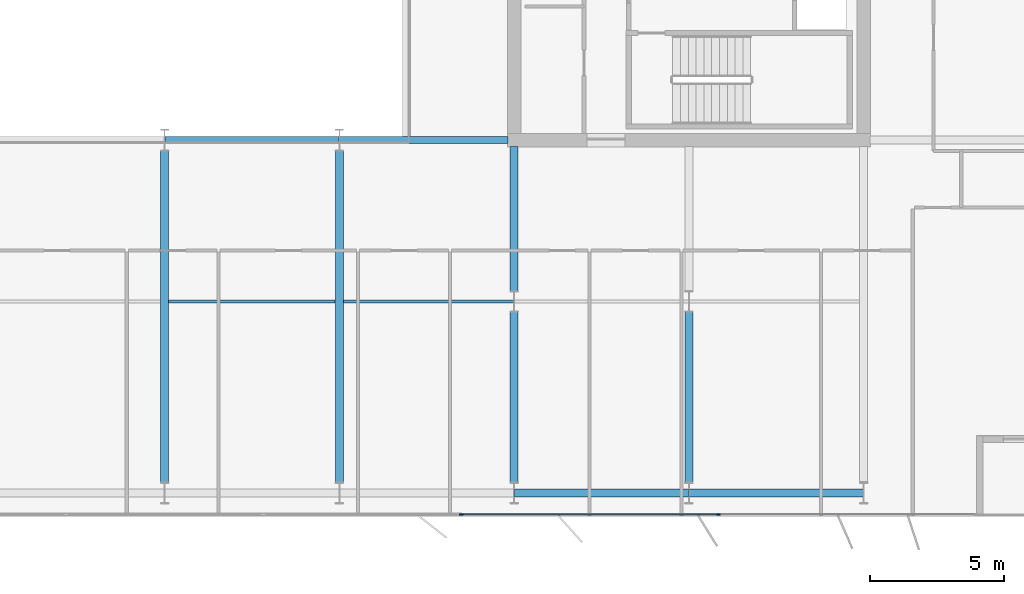
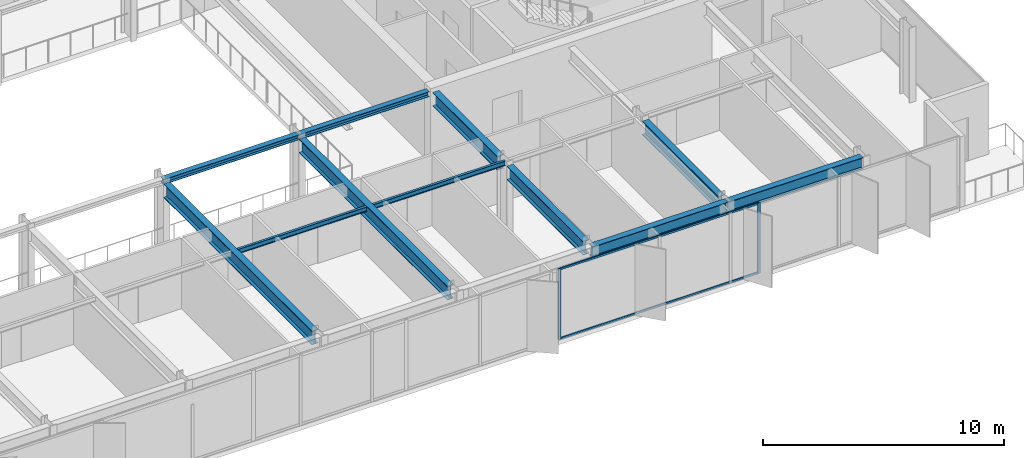
# One storey, part 7 of 24: 11 beams, 4 members, 1 element without a shape of its own.
"""IFC4 building model written with IfcOpenShell, lengths in metres."""

import ifcopenshell
import ifcopenshell.guid

model = None  # the IFC model being written
_history = None  # IfcOwnerHistory: only IFC2X3 demands one
_inside = {}  # id of a spatial element -> (the spatial element, [elements in it])
_under = {}  # id of a project, library or spatial element -> (it, [spatial elements below it])
_declared = {}  # id of a project -> (the project, [libraries it declares])
_typed = {}  # id of a type object -> (the type object, [elements of that type])
_made_of = {}  # id of a material, layer set ... -> (it, [elements and type objects made of it])


def new_model(schema):
    """Start an empty IFC model of exactly this schema.

    Asked for "IFC4X3", IfcOpenShell would pick the latest addendum, in which some entities
    have other attributes; the version numbers below select the first issue.
    IFC2X3 requires an IfcOwnerHistory on every rooted entity: one is made here for all.
    """
    global model, _history
    if schema == "IFC4X3":
        model = ifcopenshell.file(schema_version=(4, 3, 0, 0))
    else:
        model = ifcopenshell.file(schema=schema)
    _inside.clear()
    _under.clear()
    _declared.clear()
    _typed.clear()
    _made_of.clear()
    _history = None
    if model.schema == "IFC2X3":
        org = make("IfcOrganization", Name="unknown")
        user = make(
            "IfcPersonAndOrganization",
            ThePerson=make("IfcPerson", FamilyName="unknown"),
            TheOrganization=org,
        )
        app = make(
            "IfcApplication",
            ApplicationDeveloper=org,
            Version="unknown",
            ApplicationFullName="unknown",
            ApplicationIdentifier="unknown",
        )
        _history = make(
            "IfcOwnerHistory",
            OwningUser=user,
            OwningApplication=app,
            ChangeAction="ADDED",
            CreationDate=0,
        )
    return model


def make(cls, **values):
    """One entity of the class cls with the attributes given. An attribute that is None is left unset."""
    return model.create_entity(
        cls, **{name: value for name, value in values.items() if value is not None}
    )


def rooted(cls, **values):
    """An entity with a GlobalId (a new one), such as an element, a storey or a relation."""
    return make(cls, GlobalId=ifcopenshell.guid.new(), OwnerHistory=_history, **values)


def si_unit(unit_type, name, prefix=None):
    """IfcSIUnit, for example si_unit("LENGTHUNIT", "METRE", prefix="MILLI")."""
    return make("IfcSIUnit", UnitType=unit_type, Prefix=prefix, Name=name)


def assignment(units):
    """IfcUnitAssignment: the units of a project."""
    return None if units is None else make("IfcUnitAssignment", Units=units)


def point(xyz):
    """IfcCartesianPoint."""
    return None if xyz is None else make("IfcCartesianPoint", Coordinates=xyz)


def direction(xyz):
    """IfcDirection."""
    return None if xyz is None else make("IfcDirection", DirectionRatios=xyz)


def frame(location, z_axis=None, x_axis=None):
    """IfcAxis2Placement3D, a coordinate frame: its origin and axes. An axis left out is left unset."""
    return make(
        "IfcAxis2Placement3D",
        Location=point(location),
        Axis=direction(z_axis),
        RefDirection=direction(x_axis),
    )


def frame_2d(location, x_axis=None):
    """IfcAxis2Placement2D, a coordinate frame in the plane: its origin and x axis."""
    return make(
        "IfcAxis2Placement2D", Location=point(location), RefDirection=direction(x_axis)
    )


def origin():
    """The frame at (0, 0, 0) with its axes left unset."""
    return frame((0.0, 0.0, 0.0))


def origin_2d():
    """The frame at (0, 0) in the plane with its x axis left unset."""
    return frame_2d((0.0, 0.0))


def place(relative_to, where):
    """IfcLocalPlacement: puts the frame where relative to a parent placement (None: the world)."""
    return make(
        "IfcLocalPlacement", PlacementRelTo=relative_to, RelativePlacement=where
    )


def context(
    kind, dimensions, precision=None, world=None, true_north=None, identifier=None
):
    """IfcGeometricRepresentationContext, for example the 3D "Model" context."""
    return make(
        "IfcGeometricRepresentationContext",
        ContextIdentifier=identifier,
        ContextType=kind,
        CoordinateSpaceDimension=dimensions,
        Precision=precision,
        WorldCoordinateSystem=world,
        TrueNorth=true_north,
    )


def subcontext(parent, identifier, kind, view, scale=None):
    """IfcGeometricRepresentationSubContext, for example "Body" below "Model"."""
    return make(
        "IfcGeometricRepresentationSubContext",
        ContextIdentifier=identifier,
        ContextType=kind,
        ParentContext=parent,
        TargetScale=scale,
        TargetView=view,
    )


def project(units=None, contexts=None):
    """IfcProject with its units and contexts."""
    return rooted(
        "IfcProject",
        Name="project",
        RepresentationContexts=contexts,
        UnitsInContext=assignment(units),
    )


def spatial(cls, under=None, at=None, **own):
    """A site, building, storey or space (cls), placed at a placement, below another one or the project."""
    s = rooted(cls, ObjectPlacement=at, **own)
    if under is not None:
        _under.setdefault(under.id(), (under, []))[1].append(s)
    return s


def profile(cls, at=None, kind="AREA", **sizes):
    """A parametric profile (cls). Its sizes go by their IFC names, for example OverallWidth=200.0."""
    return make(cls, ProfileType=kind, Position=at, **sizes)


def rectangle(**sizes):
    """IfcRectangleProfileDef."""
    return profile("IfcRectangleProfileDef", **sizes)


def i_section(**sizes):
    """IfcIShapeProfileDef."""
    return profile("IfcIShapeProfileDef", **sizes)


def extrude(swept, where, along, depth):
    """IfcExtrudedAreaSolid: the profile swept, set in the frame where, extruded along a direction by depth."""
    return make(
        "IfcExtrudedAreaSolid",
        SweptArea=swept,
        Position=where,
        ExtrudedDirection=direction(along),
        Depth=depth,
    )


def shape(context_of_items, identifier, shape_type, items):
    """IfcShapeRepresentation: the items that make up one representation, for example the "Body"."""
    return make(
        "IfcShapeRepresentation",
        ContextOfItems=context_of_items,
        RepresentationIdentifier=identifier,
        RepresentationType=shape_type,
        Items=items,
    )


def material(Name=None, Category=None):
    """IfcMaterial."""
    return make("IfcMaterial", Name=Name, Category=Category)


def layer(
    of_material, thickness, ventilated=None, Name=None, Category=None, Priority=None
):
    """IfcMaterialLayer: one layer of a wall or slab, of a material (None: an air gap)."""
    return make(
        "IfcMaterialLayer",
        Material=of_material,
        LayerThickness=thickness,
        IsVentilated=ventilated,
        Name=Name,
        Category=Category,
        Priority=Priority,
    )


def layer_set(layers, Name=None):
    """IfcMaterialLayerSet."""
    return make("IfcMaterialLayerSet", MaterialLayers=layers, LayerSetName=Name)


def material_profile(
    of_material, cross_section, Name=None, Category=None, Priority=None
):
    """IfcMaterialProfile: a cross section and its material."""
    return make(
        "IfcMaterialProfile",
        Name=Name,
        Material=of_material,
        Profile=cross_section,
        Priority=Priority,
        Category=Category,
    )


def profile_set(profiles, Name=None, composite=None):
    """IfcMaterialProfileSet."""
    return make(
        "IfcMaterialProfileSet",
        Name=Name,
        MaterialProfiles=profiles,
        CompositeProfile=composite,
    )


def made_of(thing, what):
    """Note that an element or type object is made of a material, layer set ...; save() writes the relation."""
    if what is not None:
        _made_of.setdefault(what.id(), (what, []))[1].append(thing)
    return thing


def type_object(cls, material=None, **own):
    """A type object (cls), such as IfcWallType, which elements share."""
    return made_of(rooted(cls, **own), material)


def element(
    cls,
    number,
    at=None,
    inside=None,
    cuts=None,
    type_object=None,
    material=None,
    context=None,
    identifier="Body",
    shape_type=None,
    held_by="IfcProductDefinitionShape",
    body=None,
    shapes=None,
    **own,
):
    """One element of the class cls, such as IfcWall. Its Tag is "e" and its number.

    at: its placement. inside: the storey or other place that contains it. cuts: it is an
    opening in that element (IfcRelVoidsElement). A single representation is given by context,
    identifier, shape_type and body (its items); several are given by shapes. held_by: the class
    of the entity that holds the representations. save() writes the other relations.
    """
    e = rooted(cls, Tag="e%d" % number, ObjectPlacement=at, **own)
    if body is not None:
        shapes = [shape(context, identifier, shape_type, body)]
    if shapes is not None:
        e.Representation = make(held_by, Representations=shapes)
    if inside is not None:
        _inside.setdefault(inside.id(), (inside, []))[1].append(e)
    if cuts is not None:
        rooted(
            "IfcRelVoidsElement", RelatingBuildingElement=cuts, RelatedOpeningElement=e
        )
    if type_object is not None:
        _typed.setdefault(type_object.id(), (type_object, []))[1].append(e)
    return made_of(e, material)


def aggregate(whole, parts):
    """IfcRelAggregates: a whole, such as a stair, and the parts it consists of."""
    return rooted("IfcRelAggregates", RelatingObject=whole, RelatedObjects=parts)


def save(model, path):
    """Write the relations noted so far, then the file.

    IfcRelAggregates (storeys below a building ...), IfcRelContainedInSpatialStructure (elements
    in a storey), IfcRelDefinesByType, IfcRelAssociatesMaterial and IfcRelDeclares: one each for
    every whole, place, type object, material and project.
    """
    for whole, parts in _under.values():
        aggregate(whole, parts)
    for where, things in _inside.values():
        rooted(
            "IfcRelContainedInSpatialStructure",
            RelatedElements=things,
            RelatingStructure=where,
        )
    for kind, things in _typed.values():
        rooted("IfcRelDefinesByType", RelatedObjects=things, RelatingType=kind)
    for what, things in _made_of.values():
        rooted("IfcRelAssociatesMaterial", RelatedObjects=things, RelatingMaterial=what)
    for by, libraries in _declared.values():
        rooted("IfcRelDeclares", RelatingContext=by, RelatedDefinitions=libraries)
    model.write(path)


model = new_model("IFC4")

# Units and contexts
model_context = context("Model", 3, precision=1e-05, world=origin(), true_north=direction((0.0, 1.0)))
body_context = subcontext(model_context, "Body", "Model", "MODEL_VIEW")
ifc_project = project(units=[si_unit("LENGTHUNIT", "METRE"), si_unit("AREAUNIT", "SQUARE_METRE"), si_unit("VOLUMEUNIT", "CUBIC_METRE"), si_unit("PLANEANGLEUNIT", "RADIAN"), si_unit("MASSUNIT", "GRAM", prefix="KILO")], contexts=[model_context])

# Site, building, storey
site_placement = place(None, origin())
site = spatial("IfcSite", under=ifc_project, at=site_placement, CompositionType="ELEMENT")
building_placement = place(site_placement, origin())
building = spatial("IfcBuilding", under=site, at=building_placement, Name="Putna Gate Headquarters", CompositionType="ELEMENT")
storey_placement = place(building_placement, frame((0.0, 0.0, 240.39990234375)))
storey = spatial("IfcBuildingStorey", under=building, at=storey_placement, Name="L60", CompositionType="ELEMENT", Elevation=240.39990234375)

# Beams
ifc_material_1 = material(Name="Steel S355J2", Category="steel")
ifc_material_profile_1 = material_profile(ifc_material_1, i_section(OverallWidth=0.260009765625, OverallDepth=0.260009765625, WebThickness=0.010009765625, FlangeThickness=0.017578125, at=origin_2d()), Name="Steel S355J2")
ifc_profile_set_1 = profile_set([ifc_material_profile_1], Name="Steel S355J2")
beam_type_1 = type_object("IfcBeamType", Name="BM-ATRIUM-HEB260", PredefinedType="BEAM", material=ifc_profile_set_1)
beam_1_placement = place(storey_placement, frame((39.006103515625, 19.0, 3.4501953125), z_axis=(1.0, 0.0, 0.0), x_axis=(0.0, 1.0, 0.0)))
element("IfcBeam", 1, at=beam_1_placement, inside=storey, type_object=beam_type_1, Name="L60 Atrium Edge Beam AS3", PredefinedType="BEAM", context=body_context, shape_type="SweptSolid", body=[
    extrude(i_section(OverallWidth=0.260009765625, OverallDepth=0.260009765625, WebThickness=0.010009765625, FlangeThickness=0.017578125, at=origin_2d()), origin(), (0.0, 0.0, 1.0), 6.48779296875),
])
beam_2_placement = place(storey_placement, frame((45.506103515625, 19.0, 3.4501953125), z_axis=(1.0, 0.0, 0.0), x_axis=(0.0, 1.0, 0.0)))
element("IfcBeam", 2, at=beam_2_placement, inside=storey, type_object=beam_type_1, Name="L60 Atrium Edge Beam AS4", PredefinedType="BEAM", context=body_context, shape_type="SweptSolid", body=[
    extrude(i_section(OverallWidth=0.260009765625, OverallDepth=0.260009765625, WebThickness=0.010009765625, FlangeThickness=0.017578125, at=origin_2d()), origin(), (0.0, 0.0, 1.0), 6.2587890625),
])
ifc_material_profile_2 = material_profile(ifc_material_1, i_section(OverallWidth=0.300048828125, OverallDepth=0.699951171875, WebThickness=0.01708984375, FlangeThickness=0.031982421875, at=origin_2d()), Name="Steel S355J2")
ifc_profile_set_2 = profile_set([ifc_material_profile_2], Name="Steel S355J2")
beam_type_2 = type_object("IfcBeamType", Name="BM-GIRD-B-HEB700", PredefinedType="USERDEFINED", material=ifc_profile_set_2)
for number, where, z_axis, x_axis, name in (
    (3, (39.0, 6.27490234375, 3.22998046875), (0.0, 1.0, 0.0), (-1.0, 0.0, 0.0), "L60 South Primary Girder X39"),
    (4, (45.5, 6.27490234375, 3.22998046875), (0.0, 1.0, 0.0), (-1.0, 0.0, 0.0), "L60 South Primary Girder X45"),
):
    element("IfcBeam", number, at=place(storey_placement, frame(where, z_axis=z_axis, x_axis=x_axis)), inside=storey, type_object=beam_type_2, Name=name, ObjectType="GIRDER", PredefinedType="USERDEFINED", context=body_context, shape_type="SweptSolid", body=[
        extrude(i_section(OverallWidth=0.300048828125, OverallDepth=0.699951171875, WebThickness=0.01708984375, FlangeThickness=0.031982421875, at=origin_2d()), origin(), (0.0, 0.0, 1.0), 12.330078125),
    ])
beam_3_placement = place(storey_placement, frame((52.0, 6.27490234375, 3.22998046875), z_axis=(0.0, 1.0, 0.0), x_axis=(-1.0, 0.0, 0.0)))
element("IfcBeam", 5, at=beam_3_placement, inside=storey, type_object=beam_type_2, Name="L60 South Primary Girder X52-1", ObjectType="GIRDER", PredefinedType="USERDEFINED", context=body_context, shape_type="SweptSolid", body=[
    extrude(i_section(OverallWidth=0.300048828125, OverallDepth=0.699951171875, WebThickness=0.01708984375, FlangeThickness=0.031982421875, at=origin_2d()), origin(), (0.0, 0.0, 1.0), 6.330078125),
])
beam_4_placement = place(storey_placement, frame((52.0, 13.39501953125, 3.22998046875), z_axis=(0.0, 1.0, 0.0), x_axis=(-1.0, 0.0, 0.0)))
element("IfcBeam", 6, at=beam_4_placement, inside=storey, type_object=beam_type_2, Name="L60 South Primary Girder X52-2", ObjectType="GIRDER", PredefinedType="USERDEFINED", context=body_context, shape_type="SweptSolid", body=[
    extrude(i_section(OverallWidth=0.300048828125, OverallDepth=0.699951171875, WebThickness=0.01708984375, FlangeThickness=0.031982421875, at=origin_2d()), origin(), (0.0, 0.0, 1.0), 5.369873046875),
])
beam_5_placement = place(storey_placement, frame((58.5, 6.27490234375, 3.22998046875), z_axis=(0.0, 1.0, 0.0), x_axis=(-1.0, 0.0, 0.0)))
element("IfcBeam", 7, at=beam_5_placement, inside=storey, type_object=beam_type_2, Name="L60 South Primary Girder X58-1", ObjectType="GIRDER", PredefinedType="USERDEFINED", context=body_context, shape_type="SweptSolid", body=[
    extrude(i_section(OverallWidth=0.300048828125, OverallDepth=0.699951171875, WebThickness=0.01708984375, FlangeThickness=0.031982421875, at=origin_2d()), origin(), (0.0, 0.0, 1.0), 6.330078125),
])
ifc_material_profile_3 = material_profile(ifc_material_1, i_section(OverallWidth=0.1201171875, OverallDepth=0.239990234375, WebThickness=0.006103515625, FlangeThickness=0.009765625, at=origin_2d()), Name="Steel S355J2")
ifc_profile_set_3 = profile_set([ifc_material_profile_3], Name="Steel S355J2")
beam_type_3 = type_object("IfcBeamType", Name="BM-SEC-Z4-IPE240", PredefinedType="JOIST", material=ifc_profile_set_3)
beam_6_placement = place(storey_placement, frame((39.154052734375, 13.0, 3.460205078125), z_axis=(1.0, 0.0, 0.0), x_axis=(0.0, 1.0, 0.0)))
element("IfcBeam", 8, at=beam_6_placement, inside=storey, type_object=beam_type_3, Name="L60 South Secondary Beam 5", PredefinedType="JOIST", context=body_context, shape_type="SweptSolid", body=[
    extrude(i_section(OverallWidth=0.1201171875, OverallDepth=0.239990234375, WebThickness=0.006103515625, FlangeThickness=0.009765625, at=origin_2d()), origin(), (0.0, 0.0, 1.0), 6.19189453125),
])
beam_7_placement = place(storey_placement, frame((45.654052734375, 13.0, 3.460205078125), z_axis=(1.0, 0.0, 0.0), x_axis=(0.0, 1.0, 0.0)))
element("IfcBeam", 9, at=beam_7_placement, inside=storey, type_object=beam_type_3, Name="L60 South Secondary Beam 6", PredefinedType="JOIST", context=body_context, shape_type="SweptSolid", body=[
    extrude(i_section(OverallWidth=0.1201171875, OverallDepth=0.239990234375, WebThickness=0.006103515625, FlangeThickness=0.009765625, at=origin_2d()), origin(), (0.0, 0.0, 1.0), 6.33984375),
])
ifc_material_profile_4 = material_profile(ifc_material_1, i_section(OverallWidth=0.300048828125, OverallDepth=0.590087890625, WebThickness=0.012939453125, FlangeThickness=0.02490234375, at=origin_2d()), Name="Steel S355J2")
ifc_profile_set_4 = profile_set([ifc_material_profile_4], Name="Steel S355J2")
beam_type_4 = type_object("IfcBeamType", Name="BM-SPAN-Z4-HEA600", PredefinedType="SPANDREL", material=ifc_profile_set_4)
for number, where, z_axis, x_axis, name in (
    (10, (52.006103515625, 5.8798828125, 3.28515625), (1.0, 0.0, 0.0), (0.0, 1.0, 0.0), "L60 S Perimeter Spandrel 7"),
    (11, (58.506103515625, 5.8798828125, 3.28515625), (1.0, 0.0, 0.0), (0.0, 1.0, 0.0), "L60 S Perimeter Spandrel 8"),
):
    element("IfcBeam", number, at=place(storey_placement, frame(where, z_axis=z_axis, x_axis=x_axis)), inside=storey, type_object=beam_type_4, Name=name, PredefinedType="SPANDREL", context=body_context, shape_type="SweptSolid", body=[
        extrude(i_section(OverallWidth=0.300048828125, OverallDepth=0.590087890625, WebThickness=0.012939453125, FlangeThickness=0.02490234375, at=origin_2d()), origin(), (0.0, 0.0, 1.0), 6.48779296875),
    ])

# Curtain wall, members
ifc_material_2 = material(Name="Anodised bronze aluminium curtain wall", Category="aluminium")
ifc_layer = layer(ifc_material_2, 0.139892578125)
ifc_layer_set = layer_set([ifc_layer], Name="Anodised bronze aluminium curtain wall")
curtain_wall_type = type_object("IfcCurtainWallType", Name="CW-SYS-Z4", PredefinedType="USERDEFINED", material=ifc_layer_set)
curtain_wall_placement = place(storey_placement, origin())
curtain_wall = element("IfcCurtainWall", 12, at=curtain_wall_placement, inside=storey, type_object=curtain_wall_type, Name="L60 South East Curtain Wall", ObjectType="STICK CURTAIN WALL", PredefinedType="USERDEFINED")
ifc_material_3 = material(Name="Anodised bronze aluminium EN AW-6060", Category="aluminium")
ifc_material_profile_5 = material_profile(ifc_material_3, rectangle(XDim=0.06005859375, YDim=0.139892578125, at=origin_2d()), Name="Anodised bronze aluminium EN AW-6060")
ifc_profile_set_5 = profile_set([ifc_material_profile_5], Name="Anodised bronze aluminium EN AW-6060")
member_type_1 = type_object("IfcMemberType", Name="MULL-CWM-4", PredefinedType="MULLION", material=ifc_profile_set_5)
member_1_placement = place(storey_placement, frame((50.030029296875, 5.080078125, 0.0), z_axis=(0.0, 0.0, 1.0), x_axis=(0.0, 1.0, 0.0)))
member_1 = element("IfcMember", 13, at=member_1_placement, type_object=member_type_1, Name="CWS-4 mullion 1", PredefinedType="MULLION", context=body_context, shape_type="SweptSolid", body=[
    extrude(rectangle(XDim=0.06005859375, YDim=0.139892578125, at=origin_2d()), origin(), (0.0, 0.0, 1.0), 3.580078125),
])
member_2_placement = place(storey_placement, frame((59.60009765625, 5.080078125, 0.0), z_axis=(0.0, 0.0, 1.0), x_axis=(0.0, 1.0, 0.0)))
member_2 = element("IfcMember", 14, at=member_2_placement, type_object=member_type_1, Name="CWS-4 mullion 2", PredefinedType="MULLION", context=body_context, shape_type="SweptSolid", body=[
    extrude(rectangle(XDim=0.06005859375, YDim=0.139892578125, at=origin_2d()), origin(), (0.0, 0.0, 1.0), 3.580078125),
])
ifc_material_profile_6 = material_profile(ifc_material_3, rectangle(XDim=0.06005859375, YDim=0.10009765625, at=origin_2d()), Name="Anodised bronze aluminium EN AW-6060")
ifc_profile_set_6 = profile_set([ifc_material_profile_6], Name="Anodised bronze aluminium EN AW-6060")
member_type_2 = type_object("IfcMemberType", Name="TRAN-CWT-4", PredefinedType="USERDEFINED", material=ifc_profile_set_6)
member_3_placement = place(storey_placement, frame((50.06005859375, 5.080078125, 0.030029296875), z_axis=(1.0, 0.0, 0.0), x_axis=(0.0, 1.0, 0.0)))
member_3 = element("IfcMember", 15, at=member_3_placement, type_object=member_type_2, Name="CWS-4 transom 1.1", ObjectType="TRANSOM", PredefinedType="USERDEFINED", context=body_context, shape_type="SweptSolid", body=[
    extrude(rectangle(XDim=0.06005859375, YDim=0.10009765625, at=origin_2d()), origin(), (0.0, 0.0, 1.0), 9.510009765625),
])
member_4_placement = place(storey_placement, frame((50.06005859375, 5.080078125, 3.550048828125), z_axis=(1.0, 0.0, 0.0), x_axis=(0.0, 1.0, 0.0)))
member_4 = element("IfcMember", 16, at=member_4_placement, type_object=member_type_2, Name="CWS-4 transom 1.2", ObjectType="TRANSOM", PredefinedType="USERDEFINED", context=body_context, shape_type="SweptSolid", body=[
    extrude(rectangle(XDim=0.06005859375, YDim=0.10009765625, at=origin_2d()), origin(), (0.0, 0.0, 1.0), 9.510009765625),
])
aggregate(curtain_wall, [member_1, member_2, member_3, member_4])

save(model, "model.ifc")
